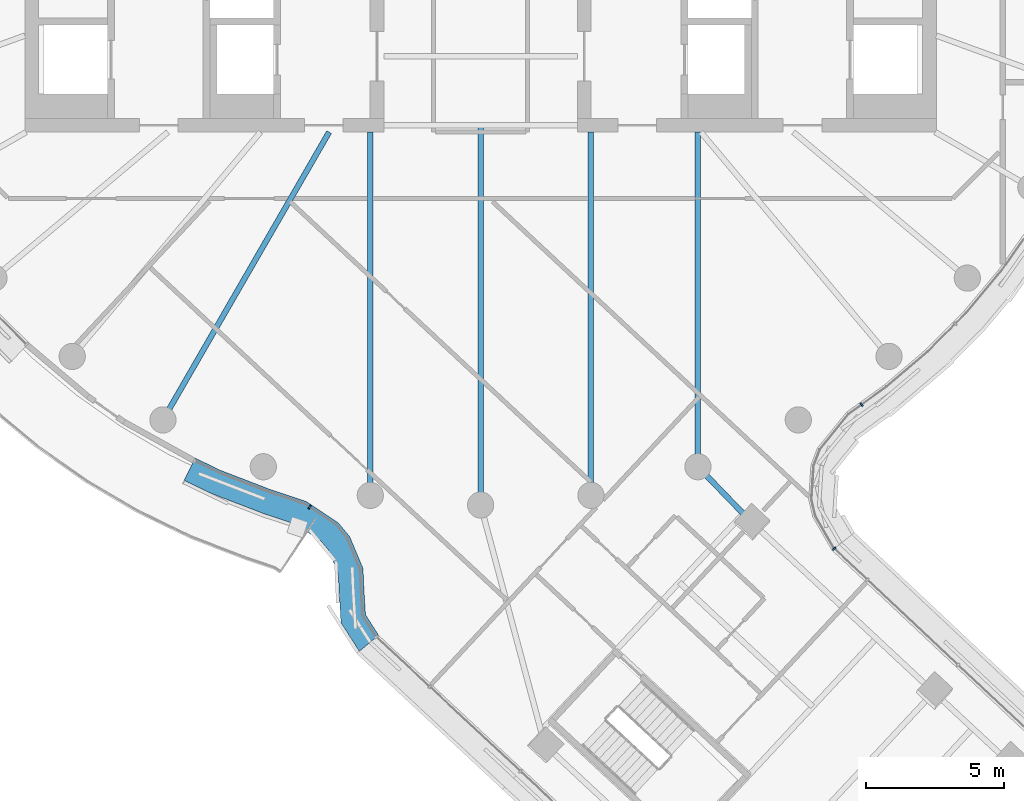
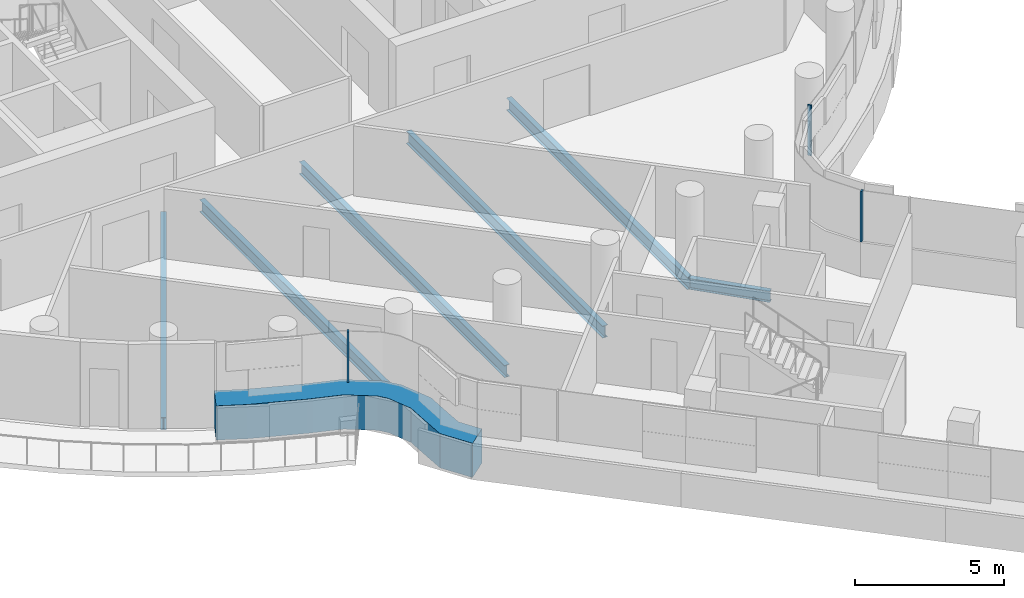
# One storey, part 5 of 30: 6 beams, 4 members, 2 elements without a shape of their own.
"""IFC4 building model written with IfcOpenShell, lengths in metres."""

from ifc_helpers import new_model, si_unit, direction, frame, origin, origin_2d, place, context, subcontext, project, spatial, polyline, rectangle, i_section, outline, extrude, material, layer, layer_set, material_profile, profile_set, type_object, element, aggregate, save


model = new_model("IFC4")

# Units and contexts
model_context = context("Model", 3, precision=1e-05, world=origin(), true_north=direction((0.0, 1.0)))
body_context = subcontext(model_context, "Body", "Model", "MODEL_VIEW")
ifc_project = project(units=[si_unit("LENGTHUNIT", "METRE"), si_unit("AREAUNIT", "SQUARE_METRE"), si_unit("VOLUMEUNIT", "CUBIC_METRE"), si_unit("PLANEANGLEUNIT", "RADIAN"), si_unit("MASSUNIT", "GRAM", prefix="KILO")], contexts=[model_context])

# Site, building, storey
site_placement = place(None, origin())
site = spatial("IfcSite", under=ifc_project, at=site_placement, CompositionType="ELEMENT")
building_placement = place(site_placement, origin())
building = spatial("IfcBuilding", under=site, at=building_placement, Name="Tamarind Cross Interchange Tower", CompositionType="ELEMENT")
storey_placement = place(building_placement, frame((0.0, 0.0, 204.10009765625)))
storey = spatial("IfcBuildingStorey", under=building, at=storey_placement, Name="L51", CompositionType="ELEMENT", Elevation=204.10009765625)

# Beams
ifc_material_1 = material(Name="Steel Q355B", Category="steel")
ifc_material_profile_1 = material_profile(ifc_material_1, i_section(OverallWidth=0.198974609375, OverallDepth=0.446044921875, WebThickness=0.008056640625, FlangeThickness=0.011962890625, FilletRadius=0.012939453125, at=origin_2d()), Name="HN 446x199x8x12")
ifc_profile_set_1 = profile_set([ifc_material_profile_1], Name="Steel Q355B")
beam_type_1 = type_object("IfcBeamType", Name="Composite beam HN 446x199x8x12 Q355B", PredefinedType="BEAM", material=ifc_profile_set_1)
beam_1_placement = place(storey_placement, frame((9.82177734375, -23.635498046875, -0.363037109375), z_axis=(-0.695072940723, 0.718939223492, 0.0), x_axis=(-0.718939223492, -0.695072940723, 0.0)))
element("IfcBeam", 1, at=beam_1_placement, inside=storey, type_object=beam_type_1, Name="Beam S-linkep", PredefinedType="BEAM", context=body_context, shape_type="SweptSolid", body=[
    extrude(i_section(OverallWidth=0.198974609375, OverallDepth=0.446044921875, WebThickness=0.008056640625, FlangeThickness=0.011962890625, FilletRadius=0.012939453125, at=origin_2d()), origin(), (0.0, 0.0, 1.0), 2.813232421875),
])
ifc_material_profile_2 = material_profile(ifc_material_1, i_section(OverallWidth=0.198974609375, OverallDepth=0.49609375, WebThickness=0.009033203125, FlangeThickness=0.013916015625, FilletRadius=0.012939453125, at=origin_2d()), Name="HN 496x199x9x14")
ifc_profile_set_2 = profile_set([ifc_material_profile_2], Name="Steel Q355B")
beam_type_2 = type_object("IfcBeamType", Name="Composite beam HN 496x199x9x14 Q355B", PredefinedType="BEAM", material=ifc_profile_set_2)
beam_2_placement = place(storey_placement, frame((-11.5, -19.918701171875, -0.38818359375), z_axis=(0.499993565836, 0.866029118519, 0.0), x_axis=(-0.866029118519, 0.499993565836, 0.0)))
element("IfcBeam", 2, at=beam_2_placement, inside=storey, type_object=beam_type_2, Name="Beam HH24", PredefinedType="BEAM", context=body_context, shape_type="SweptSolid", body=[
    extrude(i_section(OverallWidth=0.198974609375, OverallDepth=0.49609375, WebThickness=0.009033203125, FlangeThickness=0.013916015625, FilletRadius=0.012939453125, at=origin_2d()), origin(), (0.0, 0.0, 1.0), 12.030517578125),
])
beam_3_placement = place(storey_placement, frame((-3.993896484375, -22.650634765625, -0.38818359375), z_axis=(0.0, 1.0, 0.0), x_axis=(-1.0, 0.0, 0.0)))
element("IfcBeam", 3, at=beam_3_placement, inside=storey, type_object=beam_type_2, Name="Beam HH26", PredefinedType="BEAM", context=body_context, shape_type="SweptSolid", body=[
    extrude(i_section(OverallWidth=0.198974609375, OverallDepth=0.49609375, WebThickness=0.009033203125, FlangeThickness=0.013916015625, FilletRadius=0.012939453125, at=origin_2d()), origin(), (0.0, 0.0, 1.0), 13.150634765625),
])
beam_4_placement = place(storey_placement, frame((0.0, -23.0, -0.38818359375), z_axis=(0.0, 1.0, 0.0), x_axis=(-1.0, 0.0, 0.0)))
element("IfcBeam", 4, at=beam_4_placement, inside=storey, type_object=beam_type_2, Name="Beam HH27", PredefinedType="BEAM", context=body_context, shape_type="SweptSolid", body=[
    extrude(i_section(OverallWidth=0.198974609375, OverallDepth=0.49609375, WebThickness=0.009033203125, FlangeThickness=0.013916015625, FilletRadius=0.012939453125, at=origin_2d()), origin(), (0.0, 0.0, 1.0), 13.75),
])
beam_5_placement = place(storey_placement, frame((3.993896484375, -22.650634765625, -0.38818359375), z_axis=(0.0, 1.0, 0.0), x_axis=(-1.0, 0.0, 0.0)))
element("IfcBeam", 5, at=beam_5_placement, inside=storey, type_object=beam_type_2, Name="Beam HH28", PredefinedType="BEAM", context=body_context, shape_type="SweptSolid", body=[
    extrude(i_section(OverallWidth=0.198974609375, OverallDepth=0.49609375, WebThickness=0.009033203125, FlangeThickness=0.013916015625, FilletRadius=0.012939453125, at=origin_2d()), origin(), (0.0, 0.0, 1.0), 13.150634765625),
])
beam_6_placement = place(storey_placement, frame((7.866455078125, -21.613037109375, -0.38818359375), z_axis=(0.0, 1.0, 0.0), x_axis=(-1.0, 0.0, 0.0)))
element("IfcBeam", 6, at=beam_6_placement, inside=storey, type_object=beam_type_2, Name="Beam HH29", PredefinedType="BEAM", context=body_context, shape_type="SweptSolid", body=[
    extrude(i_section(OverallWidth=0.198974609375, OverallDepth=0.49609375, WebThickness=0.009033203125, FlangeThickness=0.013916015625, FilletRadius=0.012939453125, at=origin_2d()), origin(), (0.0, 0.0, 1.0), 12.113037109375),
])

# Curtain wall, members
ifc_material_2 = material(Name="Aluminium 6063-T6", Category="aluminium")
ifc_layer = layer(ifc_material_2, 0.139892578125)
ifc_layer_set = layer_set([ifc_layer], Name="Aluminium 6063-T6")
curtain_wall_type = type_object("IfcCurtainWallType", Name="Hotel curtain wall, 4.5 m bays", PredefinedType="NOTDEFINED", material=ifc_layer_set)
curtain_wall_1_placement = place(storey_placement, origin())
curtain_wall_1 = element("IfcCurtainWall", 7, at=curtain_wall_1_placement, inside=storey, type_object=curtain_wall_type, Name="CWS-L51-02", PredefinedType="NOTDEFINED")
ifc_material_3 = material(Name="Aluminium and insulated spandrel panel", Category="aluminium")
member_type_1 = type_object("IfcMemberType", Name="Floor-edge blade transom", PredefinedType="USERDEFINED", material=ifc_material_3)
member_1_placement = place(storey_placement, origin())
member_1 = element("IfcMember", 8, at=member_1_placement, type_object=member_type_1, Name="CWT-L51-02-1", ObjectType="TRANSOM", PredefinedType="USERDEFINED", context=body_context, shape_type="SweptSolid", body=[
    extrude(outline(polyline([(-10.3388671875, -21.298828125), (-9.425048828125, -21.74072265625), (-7.59228515625, -22.44677734375), (-6.314208984375, -22.873046875), (-5.160400390625, -23.63623046875), (-4.740966796875, -24.14306640625), (-4.2587890625, -25.294189453125), (-4.2255859375, -26.046630859375), (-4.170166015625, -26.968017578125), (-3.693603515625, -27.71630859375), (-4.39111328125, -28.296630859375), (-5.054443359375, -27.254638671875), (-5.124267578125, -26.093505859375), (-5.15087890625, -25.493896484375), (-5.519287109375, -24.614013671875), (-5.768310546875, -24.313232421875), (-6.711669921875, -23.689208984375), (-7.896728515625, -23.2939453125), (-9.783203125, -22.567138671875), (-10.731689453125, -22.1083984375), (-10.3388671875, -21.298828125)])), origin(), (0.0, 0.0, 1.0), 1.39990234375),
])
ifc_material_profile_3 = material_profile(ifc_material_2, rectangle(XDim=0.06005859375, YDim=0.139892578125, at=origin_2d()), Name="Mullion CW2")
ifc_profile_set_3 = profile_set([ifc_material_profile_3], Name="Aluminium 6063-T6")
member_type_2 = type_object("IfcMemberType", Name="Mullion CW2", PredefinedType="MULLION", material=ifc_profile_set_3)
member_2_placement = place(storey_placement, frame((-6.19140625, -23.07421875, 1.39990234375), z_axis=(0.0, 0.0, 1.0), x_axis=(0.83408046056, -0.55164280591, 0.0)))
member_2 = element("IfcMember", 9, at=member_2_placement, type_object=member_type_2, Name="CWM-L51-02-04", PredefinedType="MULLION", context=body_context, shape_type="SweptSolid", body=[
    extrude(rectangle(XDim=0.06005859375, YDim=0.139892578125, at=origin_2d()), origin(), (0.0, 0.0, 1.0), 2.06005859375),
])
aggregate(curtain_wall_1, [member_2, member_1])

curtain_wall_2_placement = place(storey_placement, origin())
curtain_wall_2 = element("IfcCurtainWall", 10, at=curtain_wall_2_placement, inside=storey, type_object=curtain_wall_type, Name="CWS-L51-06", PredefinedType="NOTDEFINED")
member_3_placement = place(storey_placement, frame((12.801513671875, -24.576416015625, 1.39990234375), z_axis=(0.0, 0.0, 1.0), x_axis=(-0.621632759014, 0.783308823466, 0.0)))
member_3 = element("IfcMember", 11, at=member_3_placement, type_object=member_type_2, Name="CWM-L51-06-00", PredefinedType="MULLION", context=body_context, shape_type="SweptSolid", body=[
    extrude(rectangle(XDim=0.06005859375, YDim=0.139892578125, at=origin_2d()), origin(), (0.0, 0.0, 1.0), 2.06005859375),
])
member_4_placement = place(storey_placement, frame((13.79248046875, -19.367431640625, 1.39990234375), z_axis=(0.0, 0.0, 1.0), x_axis=(0.8108888363, 0.585200218014, 0.0)))
member_4 = element("IfcMember", 12, at=member_4_placement, type_object=member_type_2, Name="CWM-L51-06-01", PredefinedType="MULLION", context=body_context, shape_type="SweptSolid", body=[
    extrude(rectangle(XDim=0.06005859375, YDim=0.139892578125, at=origin_2d()), origin(), (0.0, 0.0, 1.0), 2.06005859375),
])
aggregate(curtain_wall_2, [member_3, member_4])

save(model, "model.ifc")
